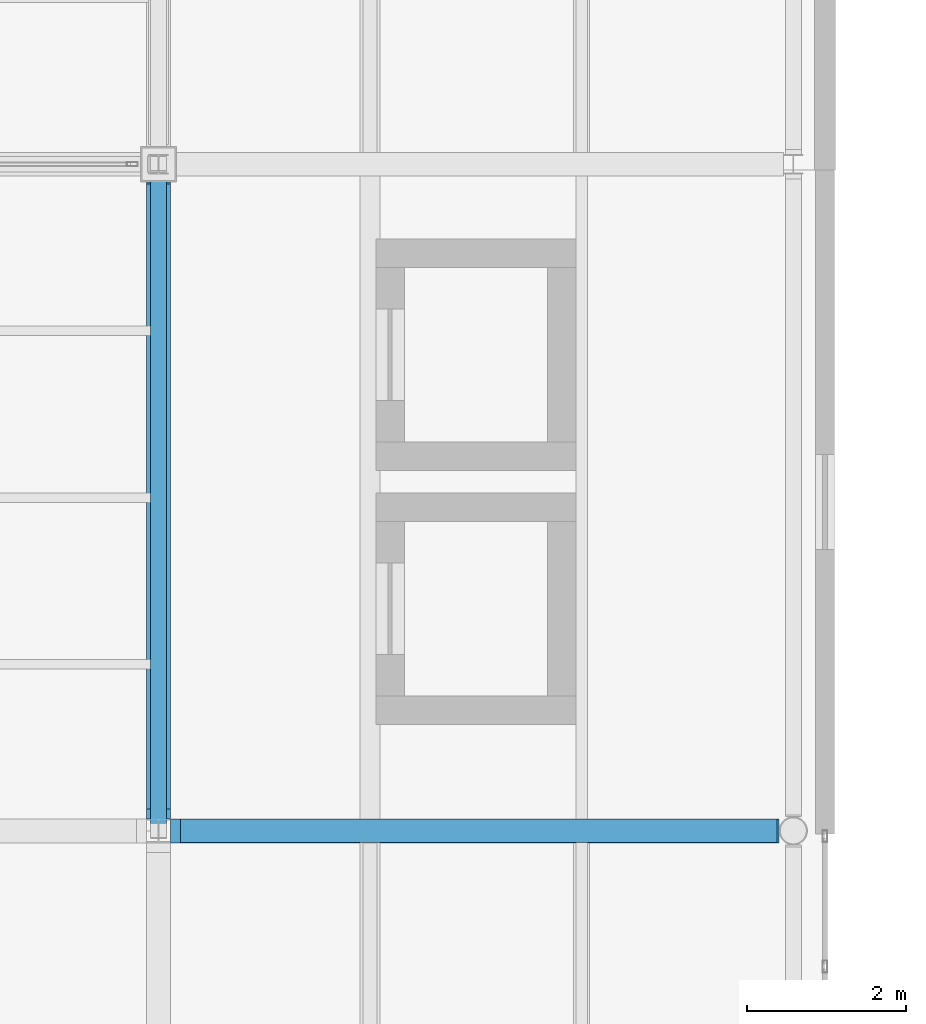
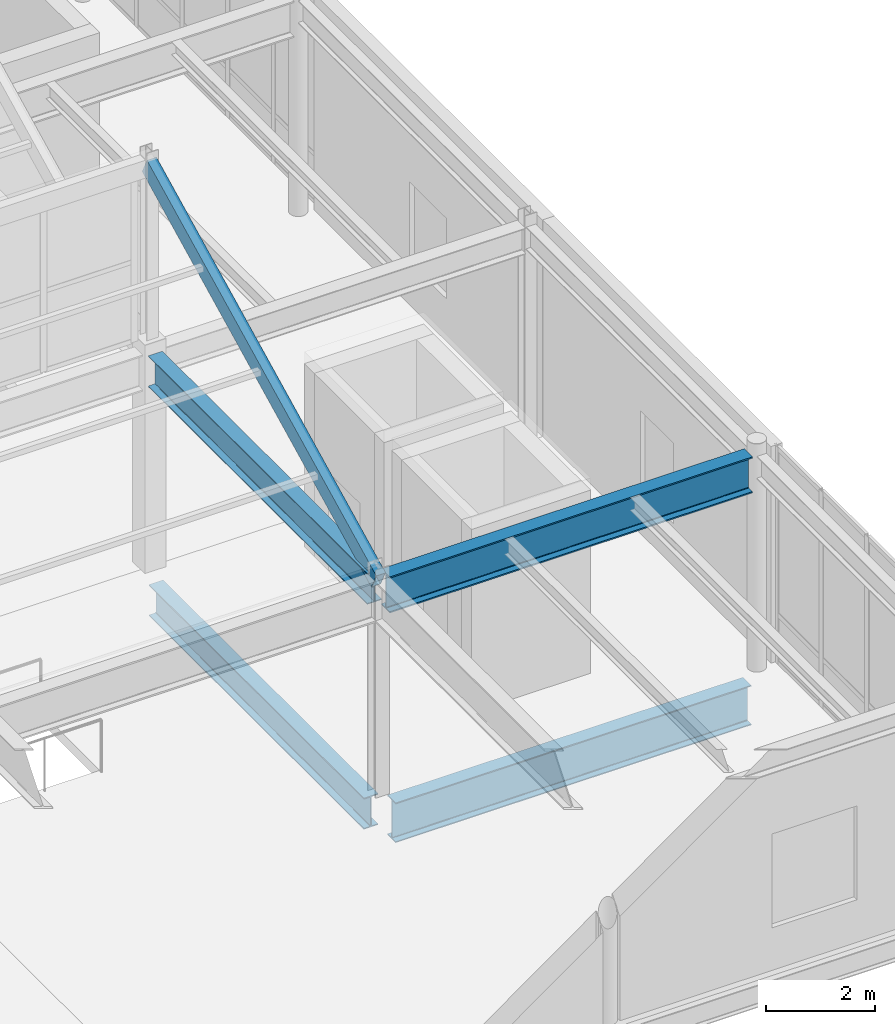
# One storey, part 42 of 91: 5 beams.
"""IFC4 building model written with IfcOpenShell, lengths in metres."""

from ifc_helpers import new_model, si_unit, direction, frame, origin, origin_2d, place, context, subcontext, project, spatial, hollow_rectangle, i_section, extrude, material, material_profile, profile_set, type_object, element, save


model = new_model("IFC4")

# Units and contexts
model_context = context("Model", 3, precision=1e-05, world=origin(), true_north=direction((0.0, 1.0)))
body_context = subcontext(model_context, "Body", "Model", "MODEL_VIEW")
ifc_project = project(units=[si_unit("LENGTHUNIT", "METRE"), si_unit("AREAUNIT", "SQUARE_METRE"), si_unit("VOLUMEUNIT", "CUBIC_METRE"), si_unit("PLANEANGLEUNIT", "RADIAN"), si_unit("MASSUNIT", "GRAM", prefix="KILO"), si_unit("THERMODYNAMICTEMPERATUREUNIT", "KELVIN")], contexts=[model_context])

# Site, building, storey
site_placement = place(None, origin())
site = spatial("IfcSite", under=ifc_project, at=site_placement, CompositionType="ELEMENT")
building_placement = place(site_placement, origin())
building = spatial("IfcBuilding", under=site, at=building_placement, Name="Lustrewick Department Store", CompositionType="ELEMENT")
storey_placement = place(building_placement, frame((0.0, 0.0, 21.60009765625)))
storey = spatial("IfcBuildingStorey", under=building, at=storey_placement, Name="L05", CompositionType="ELEMENT", Elevation=21.60009765625)

# Beams
ifc_material_1 = material(Name="Structural steel Q355C", Category="steel")
ifc_material_profile_1 = material_profile(ifc_material_1, i_section(OverallWidth=0.299072265625, OverallDepth=0.889892578125, WebThickness=0.014892578125, FlangeThickness=0.02294921875, FilletRadius=0.02392578125, at=origin_2d()), Name="HN 890x299x15x23")
ifc_profile_set_1 = profile_set([ifc_material_profile_1], Name="Structural steel Q355C")
beam_type_1 = type_object("IfcBeamType", Name="G03", PredefinedType="BEAM", material=ifc_profile_set_1)
beam_1_placement = place(storey_placement, frame((143.074951171875, 25.199951171875, -0.7001953125), z_axis=(1.0, 0.0, 0.0), x_axis=(0.0, 1.0, 0.0)))
element("IfcBeam", 1, at=beam_1_placement, inside=storey, type_object=beam_type_1, Name="L05 V3 Girder G03", PredefinedType="BEAM", context=body_context, shape_type="SweptSolid", body=[
    extrude(i_section(OverallWidth=0.299072265625, OverallDepth=0.889892578125, WebThickness=0.014892578125, FlangeThickness=0.02294921875, FilletRadius=0.02392578125, at=origin_2d()), origin(), (0.0, 0.0, 1.0), 7.52197265625),
])
ifc_material_profile_2 = material_profile(ifc_material_1, i_section(OverallWidth=0.302001953125, OverallDepth=0.80810546875, WebThickness=0.01611328125, FlangeThickness=0.030029296875, FilletRadius=0.02197265625, at=origin_2d()), Name="HN 808x302x16x30")
ifc_profile_set_2 = profile_set([ifc_material_profile_2], Name="Structural steel Q355C")
beam_type_2 = type_object("IfcBeamType", Name="G04", PredefinedType="BEAM", material=ifc_profile_set_2)
beam_2_placement = place(storey_placement, frame((142.949951171875, 25.199951171875, 4.44091796875), z_axis=(1.0, 0.0, 0.0), x_axis=(0.0, 1.0, 0.0)))
element("IfcBeam", 2, at=beam_2_placement, inside=storey, type_object=beam_type_2, Name="L05 V3 Girder G04", PredefinedType="BEAM", context=body_context, shape_type="SweptSolid", body=[
    extrude(i_section(OverallWidth=0.302001953125, OverallDepth=0.80810546875, WebThickness=0.01611328125, FlangeThickness=0.030029296875, FilletRadius=0.02197265625, at=origin_2d()), origin(), (0.0, 0.0, 1.0), 7.672119140625),
])
ifc_material_2 = material(Name="Structural steel Q355B", Category="steel")
ifc_material_profile_3 = material_profile(ifc_material_2, i_section(OverallWidth=0.300048828125, OverallDepth=0.699951171875, WebThickness=0.012939453125, FlangeThickness=0.02392578125, FilletRadius=0.02001953125, at=origin_2d()), Name="HN 700x300x13x24")
ifc_profile_set_3 = profile_set([ifc_material_profile_3], Name="Structural steel Q355B")
beam_type_3 = type_object("IfcBeamType", Name="G08", PredefinedType="BEAM", material=ifc_profile_set_3)
beam_3_placement = place(storey_placement, frame((142.800048828125, 25.47509765625, -0.60498046875), z_axis=(0.0, 1.0, 0.0), x_axis=(-1.0, 0.0, 0.0)))
element("IfcBeam", 3, at=beam_3_placement, inside=storey, type_object=beam_type_3, Name="L05 V3 Girder G08", PredefinedType="BEAM", context=body_context, shape_type="SweptSolid", body=[
    extrude(i_section(OverallWidth=0.300048828125, OverallDepth=0.699951171875, WebThickness=0.012939453125, FlangeThickness=0.02392578125, FilletRadius=0.02001953125, at=origin_2d()), origin(), (0.0, 0.0, 1.0), 7.875),
])
ifc_material_profile_4 = material_profile(ifc_material_2, i_section(OverallWidth=0.300048828125, OverallDepth=0.69189453125, WebThickness=0.012939453125, FlangeThickness=0.02001953125, FilletRadius=0.02001953125, at=origin_2d()), Name="HN 692x300x13x20")
ifc_profile_set_4 = profile_set([ifc_material_profile_4], Name="Structural steel Q355B")
beam_type_4 = type_object("IfcBeamType", Name="G09", PredefinedType="BEAM", material=ifc_profile_set_4)
beam_4_placement = place(storey_placement, frame((142.800048828125, 25.35009765625, 4.4990234375), z_axis=(0.0, 1.0, 0.0), x_axis=(-1.0, 0.0, 0.0)))
element("IfcBeam", 4, at=beam_4_placement, inside=storey, type_object=beam_type_4, Name="L05 V3 Girder G09", PredefinedType="BEAM", context=body_context, shape_type="SweptSolid", body=[
    extrude(i_section(OverallWidth=0.300048828125, OverallDepth=0.69189453125, WebThickness=0.012939453125, FlangeThickness=0.02001953125, FilletRadius=0.02001953125, at=origin_2d()), origin(), (0.0, 0.0, 1.0), 8.02490234375),
])
ifc_material_profile_5 = material_profile(ifc_material_1, hollow_rectangle(XDim=0.199951171875, YDim=0.39990234375, WallThickness=0.011962890625, at=origin_2d()), Name="RHS 400x200x12")
ifc_profile_set_5 = profile_set([ifc_material_profile_5], Name="Structural steel Q355C")
beam_type_5 = type_object("IfcBeamType", Name="G19", PredefinedType="BEAM", material=ifc_profile_set_5)
beam_5_placement = place(storey_placement, frame((142.800048828125, 25.199951171875, 4.739990234375), z_axis=(0.0, 0.89443239007, 0.447203197209), x_axis=(-1.0, 0.0, 0.0)))
element("IfcBeam", 5, at=beam_5_placement, inside=storey, type_object=beam_type_5, Name="V3 Lantern Rafter 1.142", PredefinedType="BEAM", context=body_context, shape_type="SweptSolid", body=[
    extrude(hollow_rectangle(XDim=0.199951171875, YDim=0.39990234375, WallThickness=0.011962890625, at=origin_2d()), origin(), (0.0, 0.0, 1.0), 9.3916015625),
])

save(model, "model.ifc")
